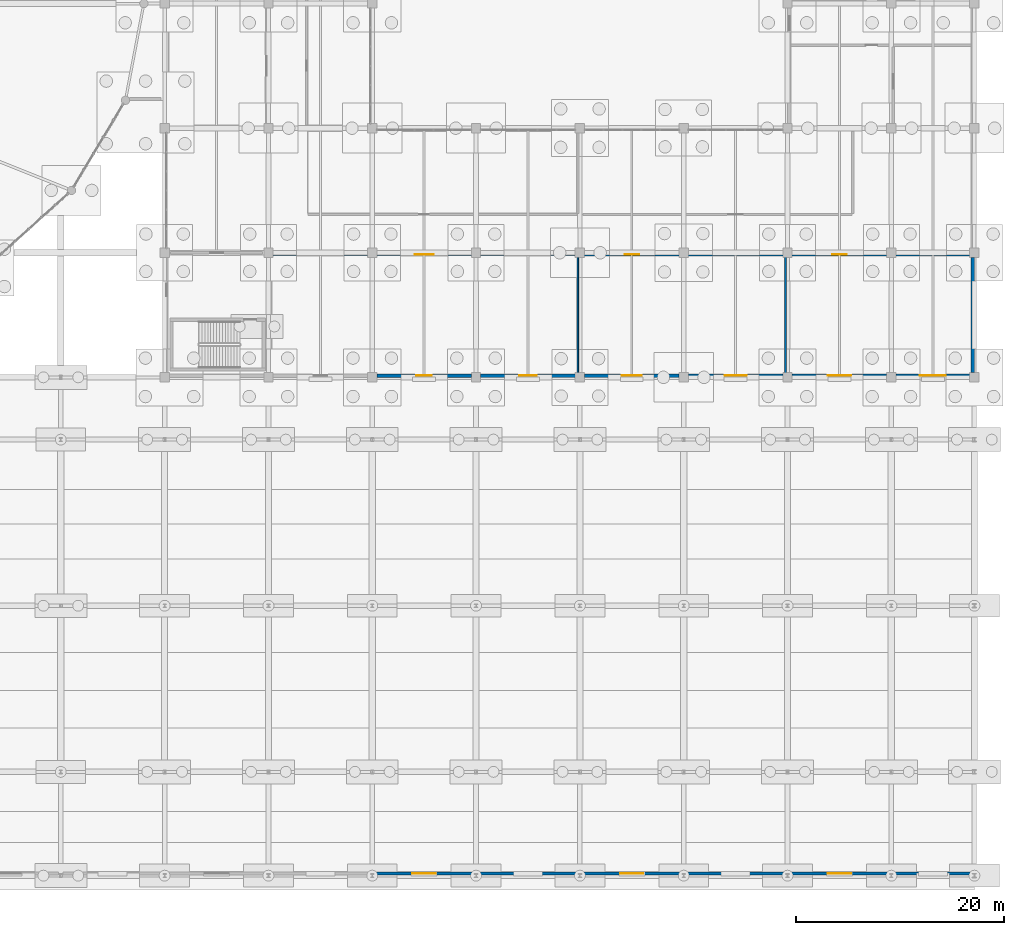
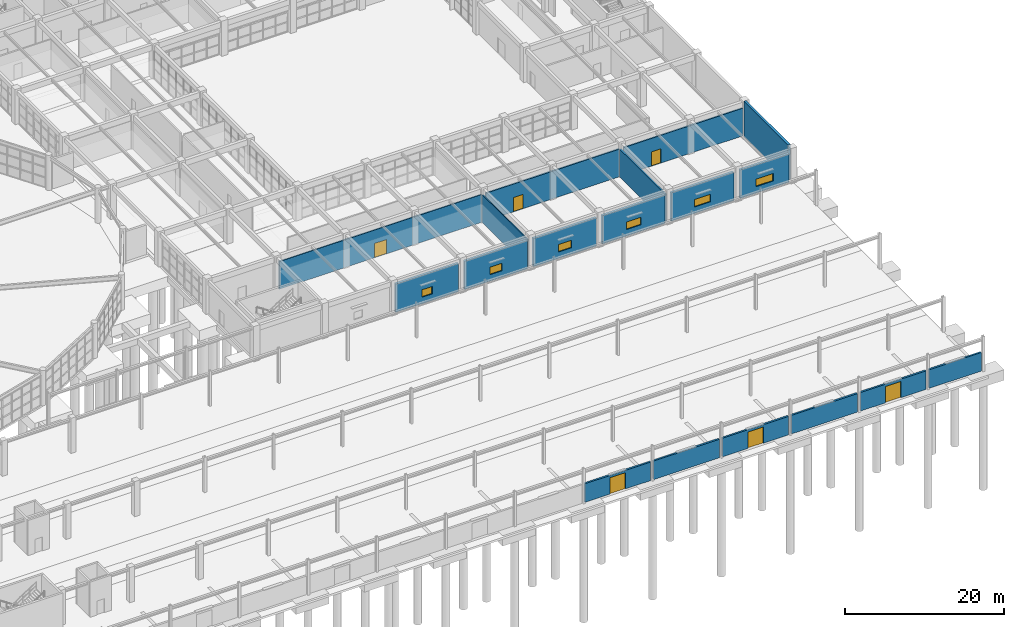
# One storey, part 80 of 99: 18 walls, 6 doors, 6 windows, 12 openings.
"""IFC4 building model written with IfcOpenShell, lengths in metres."""

from ifc_helpers import new_model, si_unit, direction, frame, frame_2d, origin, place, context, subcontext, project, spatial, rectangle, extrude, material, layer, layer_set, type_object, element, fill, save


model = new_model("IFC4")

# Units and contexts
model_context = context("Model", 3, precision=1e-05, world=origin(), true_north=direction((0.0, 1.0)))
body_context = subcontext(model_context, "Body", "Model", "MODEL_VIEW")
ifc_project = project(units=[si_unit("LENGTHUNIT", "METRE"), si_unit("AREAUNIT", "SQUARE_METRE"), si_unit("VOLUMEUNIT", "CUBIC_METRE"), si_unit("PLANEANGLEUNIT", "RADIAN"), si_unit("MASSUNIT", "GRAM", prefix="KILO")], contexts=[model_context])

# Site, building, storey
site_placement = place(None, origin())
site = spatial("IfcSite", under=ifc_project, at=site_placement, CompositionType="ELEMENT")
building_placement = place(site_placement, origin())
building = spatial("IfcBuilding", under=site, at=building_placement, Name="Kivolera Central Railway Station", CompositionType="ELEMENT")
storey_placement = place(building_placement, origin())
storey = spatial("IfcBuildingStorey", under=building, at=storey_placement, Name="L00", CompositionType="ELEMENT", Elevation=0.0)

# Wall, opening, door
ifc_material_1 = material(Name="Concrete C40/50", Category="concrete")
ifc_layer_1 = layer(ifc_material_1, 0.22998046875, Name="Concrete C40/50")
ifc_layer_set_1 = layer_set([ifc_layer_1], Name="Concrete C40/50")
wall_type_1 = type_object("IfcWallType", Name="WL-COMP-230", PredefinedType="PARTITIONING", material=ifc_layer_set_1)
wall_1_placement = place(storey_placement, frame((158.300048828125, 65.820068359375, 0.0), z_axis=(0.0, 0.0, 1.0), x_axis=(1.0, 0.0, 0.0)))
wall_1 = element("IfcWall", 1, at=wall_1_placement, inside=storey, type_object=wall_type_1, Name="L00 Main 11kV Traction-Isolated Substation Plant Room Corridor Wall", PredefinedType="PARTITIONING", context=body_context, shape_type="SweptSolid", body=[
    extrude(rectangle(XDim=19.39990234375, YDim=0.22998046875, at=frame_2d((9.699951171875, 0.0))), origin(), (0.0, 0.0, 1.0), 4.258056640625),
])
opening_1_placement = place(wall_1_placement, frame((4.0, 0.0, 0.0)))
opening_1 = element("IfcOpeningElement", 2, at=opening_1_placement, cuts=wall_1, Name="Opening D-PLT-1400", PredefinedType="OPENING", context=body_context, shape_type="SweptSolid", body=[
    extrude(rectangle(XDim=1.39990234375, YDim=2.199951171875, at=frame_2d((0.699951171875, 1.10009765625))), frame((0.0, 0.125, 0.0), z_axis=(0.0, -1.0, 0.0), x_axis=(1.0, 0.0, 0.0)), (0.0, 0.0, 1.0), 0.25),
])
ifc_material_2 = material(Name="Anodised aluminium", Category="aluminium")
door_type_1 = type_object("IfcDoorType", Name="DR-D-PLT-1400", OperationType="NOTDEFINED", PredefinedType="DOOR", material=ifc_material_2)
door_1_placement = place(opening_1_placement, origin())
door_1 = element("IfcDoor", 3, at=door_1_placement, inside=storey, type_object=door_type_1, Name="L00 Main 11kV Traction-Isolated Substation Plant Room Door", OperationType="SINGLE_SWING_LEFT", OverallHeight=2.199951171875, OverallWidth=1.39990234375, PredefinedType="DOOR", context=body_context, shape_type="SweptSolid", body=[
    extrude(rectangle(XDim=1.39990234375, YDim=2.199951171875, at=frame_2d((0.699951171875, 1.10009765625))), frame((0.0, 0.02490234375, 0.0), z_axis=(0.0, -1.0, 0.0), x_axis=(1.0, 0.0, 0.0)), (0.0, 0.0, 1.0), 0.050048828125),
])
fill(opening_1, door_1)

# Wall
wall_2_placement = place(storey_placement, frame((177.800048828125, 54.300048828125, 0.0), z_axis=(0.0, 0.0, 1.0), x_axis=(0.0, 1.0, 0.0)))
element("IfcWall", 4, at=wall_2_placement, inside=storey, type_object=wall_type_1, Name="L00 Main 11kV Traction-Isolated Substation Plant Room Partition Wall", PredefinedType="PARTITIONING", context=body_context, shape_type="SweptSolid", body=[
    extrude(rectangle(XDim=11.39990234375, YDim=0.22998046875, at=frame_2d((5.699951171875, 0.0))), origin(), (0.0, 0.0, 1.0), 4.258056640625),
])

# Wall, opening, door
wall_3_placement = place(storey_placement, frame((178.300048828125, 65.820068359375, 0.0), z_axis=(0.0, 0.0, 1.0), x_axis=(1.0, 0.0, 0.0)))
wall_3 = element("IfcWall", 5, at=wall_3_placement, inside=storey, type_object=wall_type_1, Name="L00 Standby Generator and Switchgear Plant Room Corridor Wall", PredefinedType="PARTITIONING", context=body_context, shape_type="SweptSolid", body=[
    extrude(rectangle(XDim=17.300048828125, YDim=0.22998046875, at=frame_2d((8.64990234375, 0.0))), origin(), (0.0, 0.0, 1.0), 4.258056640625),
])
opening_2_placement = place(wall_3_placement, frame((4.0, 0.0, 0.0)))
opening_2 = element("IfcOpeningElement", 6, at=opening_2_placement, cuts=wall_3, Name="Opening D-PLT-1400", PredefinedType="OPENING", context=body_context, shape_type="SweptSolid", body=[
    extrude(rectangle(XDim=1.39990234375, YDim=2.199951171875, at=frame_2d((0.699951171875, 1.10009765625))), frame((0.0, 0.125, 0.0), z_axis=(0.0, -1.0, 0.0), x_axis=(1.0, 0.0, 0.0)), (0.0, 0.0, 1.0), 0.25),
])
door_2_placement = place(opening_2_placement, origin())
door_2 = element("IfcDoor", 7, at=door_2_placement, inside=storey, type_object=door_type_1, Name="L00 Standby Generator and Switchgear Plant Room Door", OperationType="SINGLE_SWING_RIGHT", OverallHeight=2.199951171875, OverallWidth=1.39990234375, PredefinedType="DOOR", context=body_context, shape_type="SweptSolid", body=[
    extrude(rectangle(XDim=1.39990234375, YDim=2.199951171875, at=frame_2d((0.699951171875, 1.10009765625))), frame((0.0, 0.02490234375, 0.0), z_axis=(0.0, -1.0, 0.0), x_axis=(1.0, 0.0, 0.0)), (0.0, 0.0, 1.0), 0.050048828125),
])
fill(opening_2, door_2)

ifc_material_3 = material(Name="Swahili coral limestone", Category="masonry")
ifc_layer_2 = layer(ifc_material_3, 0.199951171875, Name="Swahili coral limestone")
ifc_layer_set_2 = layer_set([ifc_layer_2], Name="Swahili coral limestone")
wall_type_2 = type_object("IfcWallType", Name="WL-COR-200", PredefinedType="PARTITIONING", material=ifc_layer_set_2)
wall_4_placement = place(storey_placement, frame((128.300048828125, 65.820068359375, 0.0), z_axis=(0.0, 0.0, 1.0), x_axis=(1.0, 0.0, 0.0)))
wall_4 = element("IfcWall", 8, at=wall_4_placement, inside=storey, type_object=wall_type_2, Name="L00 Intercity Parcel and Freight Dispatch Hall Corridor Wall", PredefinedType="PARTITIONING", context=body_context, shape_type="SweptSolid", body=[
    extrude(rectangle(XDim=29.39990234375, YDim=0.199951171875, at=frame_2d((14.699951171875, 0.0))), origin(), (0.0, 0.0, 1.0), 4.258056640625),
])
opening_3_placement = place(wall_4_placement, frame((13.800048828125, 0.0, 0.0)))
opening_3 = element("IfcOpeningElement", 9, at=opening_3_placement, cuts=wall_4, Name="Opening D-DB-04", PredefinedType="OPENING", context=body_context, shape_type="SweptSolid", body=[
    extrude(rectangle(XDim=1.800048828125, YDim=2.199951171875, at=frame_2d((0.89990234375, 1.10009765625))), frame((0.0, 0.10986328125, 0.0), z_axis=(0.0, -1.0, 0.0), x_axis=(1.0, 0.0, 0.0)), (0.0, 0.0, 1.0), 0.219970703125),
])
door_type_2 = type_object("IfcDoorType", Name="DR-D-DB-04", OperationType="NOTDEFINED", PredefinedType="DOOR", material=ifc_material_2)
door_3_placement = place(opening_3_placement, origin())
door_3 = element("IfcDoor", 10, at=door_3_placement, inside=storey, type_object=door_type_2, Name="L00 Intercity Parcel and Freight Dispatch Hall Door", OperationType="DOUBLE_DOOR_SINGLE_SWING", OverallHeight=2.199951171875, OverallWidth=1.800048828125, PredefinedType="DOOR", context=body_context, shape_type="SweptSolid", body=[
    extrude(rectangle(XDim=1.800048828125, YDim=2.199951171875, at=frame_2d((0.89990234375, 1.10009765625))), frame((0.0, 0.02490234375, 0.0), z_axis=(0.0, -1.0, 0.0), x_axis=(1.0, 0.0, 0.0)), (0.0, 0.0, 1.0), 0.050048828125),
])
fill(opening_3, door_3)

ifc_layer_3 = layer(ifc_material_3, 0.27001953125, Name="Swahili coral limestone")
ifc_layer_set_3 = layer_set([ifc_layer_3], Name="Swahili coral limestone")
wall_type_3 = type_object("IfcWallType", Name="WL-EXT-CORAL-270", PredefinedType="SOLIDWALL", material=ifc_layer_set_3)
wall_5_placement = place(storey_placement, frame((147.780029296875, 6.199951171875, 0.0), z_axis=(0.0, 0.0, 1.0), x_axis=(-1.0, 0.0, 0.0)))
wall_5 = element("IfcWall", 11, at=wall_5_placement, inside=storey, type_object=wall_type_3, Name="Southern Trackside Coral-Limestone Screen Wall 14", PredefinedType="SOLIDWALL", context=body_context, shape_type="SweptSolid", body=[
    extrude(rectangle(XDim=9.56005859375, YDim=0.27001953125, at=frame_2d((4.780029296875, 0.0))), origin(), (0.0, 0.0, 1.0), 2.85009765625),
])
opening_4_placement = place(wall_5_placement, frame((3.655029296875, 0.0, 0.0)))
opening_4 = element("IfcOpeningElement", 12, at=opening_4_placement, cuts=wall_5, Name="Opening ED-2250", PredefinedType="OPENING", context=body_context, shape_type="SweptSolid", body=[
    extrude(rectangle(XDim=2.25, YDim=2.5, at=frame_2d((1.125, 1.25))), frame((0.0, 0.14501953125, 0.0), z_axis=(0.0, -1.0, 0.0), x_axis=(1.0, 0.0, 0.0)), (0.0, 0.0, 1.0), 0.2900390625),
])
door_type_3 = type_object("IfcDoorType", Name="DR-ED-2250", OperationType="NOTDEFINED", PredefinedType="DOOR", material=ifc_material_2)
door_4_placement = place(opening_4_placement, origin())
door_4 = element("IfcDoor", 13, at=door_4_placement, inside=storey, type_object=door_type_3, Name="Platform Southern Final Exit Discharge Door ED-23", OperationType="DOUBLE_DOOR_SINGLE_SWING", OverallHeight=2.5, OverallWidth=2.25, PredefinedType="DOOR", context=body_context, shape_type="SweptSolid", body=[
    extrude(rectangle(XDim=2.25, YDim=2.5, at=frame_2d((1.125, 1.25))), frame((0.0, 0.02490234375, 0.0), z_axis=(0.0, -1.0, 0.0), x_axis=(1.0, 0.0, 0.0)), (0.0, 0.0, 1.0), 0.050048828125),
])
fill(opening_4, door_4)

# Wall
wall_6_placement = place(storey_placement, frame((157.780029296875, 6.199951171875, 0.0), z_axis=(0.0, 0.0, 1.0), x_axis=(-1.0, 0.0, 0.0)))
element("IfcWall", 14, at=wall_6_placement, inside=storey, type_object=wall_type_3, Name="Southern Trackside Coral-Limestone Screen Wall 15", PredefinedType="SOLIDWALL", context=body_context, shape_type="SweptSolid", body=[
    extrude(rectangle(XDim=9.56005859375, YDim=0.27001953125, at=frame_2d((4.780029296875, 0.0))), origin(), (0.0, 0.0, 1.0), 2.85009765625),
])

# Wall, opening, door
wall_7_placement = place(storey_placement, frame((167.780029296875, 6.199951171875, 0.0), z_axis=(0.0, 0.0, 1.0), x_axis=(-1.0, 0.0, 0.0)))
wall_7 = element("IfcWall", 15, at=wall_7_placement, inside=storey, type_object=wall_type_3, Name="Southern Trackside Coral-Limestone Screen Wall 16", PredefinedType="SOLIDWALL", context=body_context, shape_type="SweptSolid", body=[
    extrude(rectangle(XDim=9.56005859375, YDim=0.27001953125, at=frame_2d((4.780029296875, 0.0))), origin(), (0.0, 0.0, 1.0), 2.85009765625),
])
opening_5_placement = place(wall_7_placement, frame((3.655029296875, 0.0, 0.0)))
opening_5 = element("IfcOpeningElement", 16, at=opening_5_placement, cuts=wall_7, Name="Opening ED-2250", PredefinedType="OPENING", context=body_context, shape_type="SweptSolid", body=[
    extrude(rectangle(XDim=2.25, YDim=2.5, at=frame_2d((1.125, 1.25))), frame((0.0, 0.14501953125, 0.0), z_axis=(0.0, -1.0, 0.0), x_axis=(1.0, 0.0, 0.0)), (0.0, 0.0, 1.0), 0.2900390625),
])
door_5_placement = place(opening_5_placement, origin())
door_5 = element("IfcDoor", 17, at=door_5_placement, inside=storey, type_object=door_type_3, Name="Platform Southern Final Exit Discharge Door ED-24", OperationType="DOUBLE_DOOR_SINGLE_SWING", OverallHeight=2.5, OverallWidth=2.25, PredefinedType="DOOR", context=body_context, shape_type="SweptSolid", body=[
    extrude(rectangle(XDim=2.25, YDim=2.5, at=frame_2d((1.125, 1.25))), frame((0.0, 0.02490234375, 0.0), z_axis=(0.0, -1.0, 0.0), x_axis=(1.0, 0.0, 0.0)), (0.0, 0.0, 1.0), 0.050048828125),
])
fill(opening_5, door_5)

# Wall
wall_8_placement = place(storey_placement, frame((177.780029296875, 6.199951171875, 0.0), z_axis=(0.0, 0.0, 1.0), x_axis=(-1.0, 0.0, 0.0)))
element("IfcWall", 18, at=wall_8_placement, inside=storey, type_object=wall_type_3, Name="Southern Trackside Coral-Limestone Screen Wall 17", PredefinedType="SOLIDWALL", context=body_context, shape_type="SweptSolid", body=[
    extrude(rectangle(XDim=9.56005859375, YDim=0.27001953125, at=frame_2d((4.780029296875, 0.0))), origin(), (0.0, 0.0, 1.0), 2.85009765625),
])

# Wall, opening, door
wall_9_placement = place(storey_placement, frame((187.780029296875, 6.199951171875, 0.0), z_axis=(0.0, 0.0, 1.0), x_axis=(-1.0, 0.0, 0.0)))
wall_9 = element("IfcWall", 19, at=wall_9_placement, inside=storey, type_object=wall_type_3, Name="Southern Trackside Coral-Limestone Screen Wall 18", PredefinedType="SOLIDWALL", context=body_context, shape_type="SweptSolid", body=[
    extrude(rectangle(XDim=9.56005859375, YDim=0.27001953125, at=frame_2d((4.780029296875, 0.0))), origin(), (0.0, 0.0, 1.0), 2.85009765625),
])
opening_6_placement = place(wall_9_placement, frame((3.655029296875, 0.0, 0.0)))
opening_6 = element("IfcOpeningElement", 20, at=opening_6_placement, cuts=wall_9, Name="Opening ED-2250", PredefinedType="OPENING", context=body_context, shape_type="SweptSolid", body=[
    extrude(rectangle(XDim=2.25, YDim=2.5, at=frame_2d((1.125, 1.25))), frame((0.0, 0.14501953125, 0.0), z_axis=(0.0, -1.0, 0.0), x_axis=(1.0, 0.0, 0.0)), (0.0, 0.0, 1.0), 0.2900390625),
])
door_6_placement = place(opening_6_placement, origin())
door_6 = element("IfcDoor", 21, at=door_6_placement, inside=storey, type_object=door_type_3, Name="Platform Southern Final Exit Discharge Door ED-25", OperationType="DOUBLE_DOOR_SINGLE_SWING", OverallHeight=2.5, OverallWidth=2.25, PredefinedType="DOOR", context=body_context, shape_type="SweptSolid", body=[
    extrude(rectangle(XDim=2.25, YDim=2.5, at=frame_2d((1.125, 1.25))), frame((0.0, 0.02490234375, 0.0), z_axis=(0.0, -1.0, 0.0), x_axis=(1.0, 0.0, 0.0)), (0.0, 0.0, 1.0), 0.050048828125),
])
fill(opening_6, door_6)

# Wall
wall_10_placement = place(storey_placement, frame((195.780029296875, 6.199951171875, 0.0), z_axis=(0.0, 0.0, 1.0), x_axis=(-1.0, 0.0, 0.0)))
element("IfcWall", 22, at=wall_10_placement, inside=storey, type_object=wall_type_3, Name="Southern Trackside Coral-Limestone Screen Wall 19", PredefinedType="SOLIDWALL", context=body_context, shape_type="SweptSolid", body=[
    extrude(rectangle(XDim=7.56005859375, YDim=0.27001953125, at=frame_2d((3.780029296875, 0.0))), origin(), (0.0, 0.0, 1.0), 2.85009765625),
])

# Wall, opening, window
ifc_layer_4 = layer(ifc_material_3, 0.340087890625, Name="Swahili coral limestone")
ifc_layer_set_4 = layer_set([ifc_layer_4], Name="Swahili coral limestone")
wall_type_4 = type_object("IfcWallType", Name="WL-EXT-PLINTH-340", PredefinedType="SOLIDWALL", material=ifc_layer_set_4)
wall_11_placement = place(storey_placement, frame((147.554931640625, 54.169921875, 0.0), z_axis=(0.0, 0.0, 1.0), x_axis=(-1.0, 0.0, 0.0)))
wall_11 = element("IfcWall", 23, at=wall_11_placement, inside=storey, type_object=wall_type_4, Name="L00 South Facade Wall 138-148", PredefinedType="SOLIDWALL", context=body_context, shape_type="SweptSolid", body=[
    extrude(rectangle(XDim=9.10986328125, YDim=0.340087890625, at=frame_2d((4.554931640625, 0.0))), origin(), (0.0, 0.0, 1.0), 4.35791015625),
])
opening_7_placement = place(wall_11_placement, frame((3.804931640625, 0.0, 1.0)))
opening_7 = element("IfcOpeningElement", 24, at=opening_7_placement, cuts=wall_11, Name="Opening WN-04", PredefinedType="OPENING", context=body_context, shape_type="SweptSolid", body=[
    extrude(rectangle(XDim=1.5, YDim=1.14990234375, at=frame_2d((0.75, 0.574951171875))), frame((0.0, 0.179931640625, 0.0), z_axis=(0.0, -1.0, 0.0), x_axis=(1.0, 0.0, 0.0)), (0.0, 0.0, 1.0), 0.360107421875),
])
ifc_material_4 = material(Name="Double low-E laminated glass", Category="glass")
window_type_1 = type_object("IfcWindowType", Name="WIN-WN-04", PartitioningType="SINGLE_PANEL", PredefinedType="WINDOW", material=ifc_material_4)
window_1_placement = place(opening_7_placement, origin())
window_1 = element("IfcWindow", 25, at=window_1_placement, inside=storey, type_object=window_type_1, Name="L00 South Facade Window 138", OverallHeight=1.14990234375, OverallWidth=1.5, PartitioningType="SINGLE_PANEL", PredefinedType="WINDOW", context=body_context, shape_type="SweptSolid", body=[
    extrude(rectangle(XDim=1.5, YDim=1.14990234375, at=frame_2d((0.75, 0.574951171875))), frame((0.0, 0.030029296875, 0.0), z_axis=(0.0, -1.0, 0.0), x_axis=(1.0, 0.0, 0.0)), (0.0, 0.0, 1.0), 0.06005859375),
])
fill(opening_7, window_1)

wall_12_placement = place(storey_placement, frame((157.554931640625, 54.169921875, 0.0), z_axis=(0.0, 0.0, 1.0), x_axis=(-1.0, 0.0, 0.0)))
wall_12 = element("IfcWall", 26, at=wall_12_placement, inside=storey, type_object=wall_type_4, Name="L00 South Facade Wall 148-158", PredefinedType="SOLIDWALL", context=body_context, shape_type="SweptSolid", body=[
    extrude(rectangle(XDim=9.10986328125, YDim=0.340087890625, at=frame_2d((4.554931640625, 0.0))), origin(), (0.0, 0.0, 1.0), 4.35791015625),
])
opening_8_placement = place(wall_12_placement, frame((3.705078125, 0.0, 1.0)))
opening_8 = element("IfcOpeningElement", 27, at=opening_8_placement, cuts=wall_12, Name="Opening WN-05", PredefinedType="OPENING", context=body_context, shape_type="SweptSolid", body=[
    extrude(rectangle(XDim=1.699951171875, YDim=1.14990234375, at=frame_2d((0.85009765625, 0.574951171875))), frame((0.0, 0.179931640625, 0.0), z_axis=(0.0, -1.0, 0.0), x_axis=(1.0, 0.0, 0.0)), (0.0, 0.0, 1.0), 0.360107421875),
])
window_type_2 = type_object("IfcWindowType", Name="WIN-WN-05", PartitioningType="SINGLE_PANEL", PredefinedType="WINDOW", material=ifc_material_4)
window_2_placement = place(opening_8_placement, origin())
window_2 = element("IfcWindow", 28, at=window_2_placement, inside=storey, type_object=window_type_2, Name="L00 South Facade Window 148", OverallHeight=1.14990234375, OverallWidth=1.699951171875, PartitioningType="SINGLE_PANEL", PredefinedType="WINDOW", context=body_context, shape_type="SweptSolid", body=[
    extrude(rectangle(XDim=1.699951171875, YDim=1.14990234375, at=frame_2d((0.85009765625, 0.574951171875))), frame((0.0, 0.030029296875, 0.0), z_axis=(0.0, -1.0, 0.0), x_axis=(1.0, 0.0, 0.0)), (0.0, 0.0, 1.0), 0.06005859375),
])
fill(opening_8, window_2)

wall_13_placement = place(storey_placement, frame((167.554931640625, 54.169921875, 0.0), z_axis=(0.0, 0.0, 1.0), x_axis=(-1.0, 0.0, 0.0)))
wall_13 = element("IfcWall", 29, at=wall_13_placement, inside=storey, type_object=wall_type_4, Name="L00 South Facade Wall 158-168", PredefinedType="SOLIDWALL", context=body_context, shape_type="SweptSolid", body=[
    extrude(rectangle(XDim=9.10986328125, YDim=0.340087890625, at=frame_2d((4.554931640625, 0.0))), origin(), (0.0, 0.0, 1.0), 4.35791015625),
])
opening_9_placement = place(wall_13_placement, frame((3.60498046875, 0.0, 1.0)))
opening_9 = element("IfcOpeningElement", 30, at=opening_9_placement, cuts=wall_13, Name="Opening WN-06", PredefinedType="OPENING", context=body_context, shape_type="SweptSolid", body=[
    extrude(rectangle(XDim=1.89990234375, YDim=1.14990234375, at=frame_2d((0.949951171875, 0.574951171875))), frame((0.0, 0.179931640625, 0.0), z_axis=(0.0, -1.0, 0.0), x_axis=(1.0, 0.0, 0.0)), (0.0, 0.0, 1.0), 0.360107421875),
])
window_type_3 = type_object("IfcWindowType", Name="WIN-WN-06", PartitioningType="SINGLE_PANEL", PredefinedType="WINDOW", material=ifc_material_4)
window_3_placement = place(opening_9_placement, origin())
window_3 = element("IfcWindow", 31, at=window_3_placement, inside=storey, type_object=window_type_3, Name="L00 South Facade Window 158", OverallHeight=1.14990234375, OverallWidth=1.89990234375, PartitioningType="SINGLE_PANEL", PredefinedType="WINDOW", context=body_context, shape_type="SweptSolid", body=[
    extrude(rectangle(XDim=1.89990234375, YDim=1.14990234375, at=frame_2d((0.949951171875, 0.574951171875))), frame((0.0, 0.030029296875, 0.0), z_axis=(0.0, -1.0, 0.0), x_axis=(1.0, 0.0, 0.0)), (0.0, 0.0, 1.0), 0.06005859375),
])
fill(opening_9, window_3)

wall_14_placement = place(storey_placement, frame((177.554931640625, 54.169921875, 0.0), z_axis=(0.0, 0.0, 1.0), x_axis=(-1.0, 0.0, 0.0)))
wall_14 = element("IfcWall", 32, at=wall_14_placement, inside=storey, type_object=wall_type_4, Name="L00 South Facade Wall 168-178", PredefinedType="SOLIDWALL", context=body_context, shape_type="SweptSolid", body=[
    extrude(rectangle(XDim=9.10986328125, YDim=0.340087890625, at=frame_2d((4.554931640625, 0.0))), origin(), (0.0, 0.0, 1.0), 4.35791015625),
])
opening_10_placement = place(wall_14_placement, frame((3.5048828125, 0.0, 1.0)))
opening_10 = element("IfcOpeningElement", 33, at=opening_10_placement, cuts=wall_14, Name="Opening WN-07", PredefinedType="OPENING", context=body_context, shape_type="SweptSolid", body=[
    extrude(rectangle(XDim=2.10009765625, YDim=1.14990234375, at=frame_2d((1.050048828125, 0.574951171875))), frame((0.0, 0.179931640625, 0.0), z_axis=(0.0, -1.0, 0.0), x_axis=(1.0, 0.0, 0.0)), (0.0, 0.0, 1.0), 0.360107421875),
])
window_type_4 = type_object("IfcWindowType", Name="WIN-WN-07", PartitioningType="SINGLE_PANEL", PredefinedType="WINDOW", material=ifc_material_4)
window_4_placement = place(opening_10_placement, origin())
window_4 = element("IfcWindow", 34, at=window_4_placement, inside=storey, type_object=window_type_4, Name="L00 South Facade Window 168", OverallHeight=1.14990234375, OverallWidth=2.10009765625, PartitioningType="SINGLE_PANEL", PredefinedType="WINDOW", context=body_context, shape_type="SweptSolid", body=[
    extrude(rectangle(XDim=2.10009765625, YDim=1.14990234375, at=frame_2d((1.050048828125, 0.574951171875))), frame((0.0, 0.030029296875, 0.0), z_axis=(0.0, -1.0, 0.0), x_axis=(1.0, 0.0, 0.0)), (0.0, 0.0, 1.0), 0.06005859375),
])
fill(opening_10, window_4)

wall_15_placement = place(storey_placement, frame((187.554931640625, 54.169921875, 0.0), z_axis=(0.0, 0.0, 1.0), x_axis=(-1.0, 0.0, 0.0)))
wall_15 = element("IfcWall", 35, at=wall_15_placement, inside=storey, type_object=wall_type_4, Name="L00 South Facade Wall 178-188", PredefinedType="SOLIDWALL", context=body_context, shape_type="SweptSolid", body=[
    extrude(rectangle(XDim=9.10986328125, YDim=0.340087890625, at=frame_2d((4.554931640625, 0.0))), origin(), (0.0, 0.0, 1.0), 4.35791015625),
])
opening_11_placement = place(wall_15_placement, frame((3.405029296875, 0.0, 1.0)))
opening_11 = element("IfcOpeningElement", 36, at=opening_11_placement, cuts=wall_15, Name="Opening WN-08", PredefinedType="OPENING", context=body_context, shape_type="SweptSolid", body=[
    extrude(rectangle(XDim=2.300048828125, YDim=1.14990234375, at=frame_2d((1.14990234375, 0.574951171875))), frame((0.0, 0.179931640625, 0.0), z_axis=(0.0, -1.0, 0.0), x_axis=(1.0, 0.0, 0.0)), (0.0, 0.0, 1.0), 0.360107421875),
])
window_type_5 = type_object("IfcWindowType", Name="WIN-WN-08", PartitioningType="SINGLE_PANEL", PredefinedType="WINDOW", material=ifc_material_4)
window_5_placement = place(opening_11_placement, origin())
window_5 = element("IfcWindow", 37, at=window_5_placement, inside=storey, type_object=window_type_5, Name="L00 South Facade Window 178", OverallHeight=1.14990234375, OverallWidth=2.300048828125, PartitioningType="SINGLE_PANEL", PredefinedType="WINDOW", context=body_context, shape_type="SweptSolid", body=[
    extrude(rectangle(XDim=2.300048828125, YDim=1.14990234375, at=frame_2d((1.14990234375, 0.574951171875))), frame((0.0, 0.030029296875, 0.0), z_axis=(0.0, -1.0, 0.0), x_axis=(1.0, 0.0, 0.0)), (0.0, 0.0, 1.0), 0.06005859375),
])
fill(opening_11, window_5)

wall_16_placement = place(storey_placement, frame((195.554931640625, 54.169921875, 0.0), z_axis=(0.0, 0.0, 1.0), x_axis=(-1.0, 0.0, 0.0)))
wall_16 = element("IfcWall", 38, at=wall_16_placement, inside=storey, type_object=wall_type_4, Name="L00 South Facade Wall 188-196", PredefinedType="SOLIDWALL", context=body_context, shape_type="SweptSolid", body=[
    extrude(rectangle(XDim=7.10986328125, YDim=0.340087890625, at=frame_2d((3.554931640625, 0.0))), origin(), (0.0, 0.0, 1.0), 4.35791015625),
])
opening_12_placement = place(wall_16_placement, frame((2.304931640625, 0.0, 1.0)))
opening_12 = element("IfcOpeningElement", 39, at=opening_12_placement, cuts=wall_16, Name="Opening WN-09", PredefinedType="OPENING", context=body_context, shape_type="SweptSolid", body=[
    extrude(rectangle(XDim=2.5, YDim=1.14990234375, at=frame_2d((1.25, 0.574951171875))), frame((0.0, 0.179931640625, 0.0), z_axis=(0.0, -1.0, 0.0), x_axis=(1.0, 0.0, 0.0)), (0.0, 0.0, 1.0), 0.360107421875),
])
window_type_6 = type_object("IfcWindowType", Name="WIN-WN-09", PartitioningType="SINGLE_PANEL", PredefinedType="WINDOW", material=ifc_material_4)
window_6_placement = place(opening_12_placement, origin())
window_6 = element("IfcWindow", 40, at=window_6_placement, inside=storey, type_object=window_type_6, Name="L00 South Facade Window 188", OverallHeight=1.14990234375, OverallWidth=2.5, PartitioningType="SINGLE_PANEL", PredefinedType="WINDOW", context=body_context, shape_type="SweptSolid", body=[
    extrude(rectangle(XDim=2.5, YDim=1.14990234375, at=frame_2d((1.25, 0.574951171875))), frame((0.0, 0.030029296875, 0.0), z_axis=(0.0, -1.0, 0.0), x_axis=(1.0, 0.0, 0.0)), (0.0, 0.0, 1.0), 0.06005859375),
])
fill(opening_12, window_6)

# Walls
ifc_layer_5 = layer(ifc_material_1, 0.35009765625, Name="Concrete C40/50")
ifc_layer_set_5 = layer_set([ifc_layer_5], Name="Concrete C40/50")
wall_type_5 = type_object("IfcWallType", Name="WL-PARTY-350", PredefinedType="SOLIDWALL", material=ifc_layer_set_5)
wall_17_placement = place(storey_placement, frame((195.824951171875, 65.554931640625, 0.0), z_axis=(0.0, 0.0, 1.0), x_axis=(0.0, -1.0, 0.0)))
element("IfcWall", 41, at=wall_17_placement, inside=storey, type_object=wall_type_5, Name="L00 East Infill EI 120 Party Wall 54-66", PredefinedType="SOLIDWALL", context=body_context, shape_type="SweptSolid", body=[
    extrude(rectangle(XDim=11.10986328125, YDim=0.35009765625, at=frame_2d((5.554931640625, 0.0))), origin(), (0.0, 0.0, 1.0), 5.39990234375),
])
ifc_material_5 = material(Name="Gypsum plasterboard steel-stud partition")
ifc_layer_6 = layer(ifc_material_5, 0.14990234375, Name="Gypsum plasterboard steel-stud partition")
ifc_layer_set_6 = layer_set([ifc_layer_6], Name="Gypsum plasterboard steel-stud partition")
wall_type_6 = type_object("IfcWallType", Name="WL-PRT-150", PredefinedType="PARTITIONING", material=ifc_layer_set_6)
wall_18_placement = place(storey_placement, frame((157.800048828125, 54.300048828125, 0.0), z_axis=(0.0, 0.0, 1.0), x_axis=(0.0, 1.0, 0.0)))
element("IfcWall", 42, at=wall_18_placement, inside=storey, type_object=wall_type_6, Name="L00 Intercity Parcel and Freight Dispatch Hall Partition Wall", PredefinedType="PARTITIONING", context=body_context, shape_type="SweptSolid", body=[
    extrude(rectangle(XDim=11.39990234375, YDim=0.14990234375, at=frame_2d((5.699951171875, 0.0))), origin(), (0.0, 0.0, 1.0), 4.258056640625),
])

save(model, "model.ifc")
